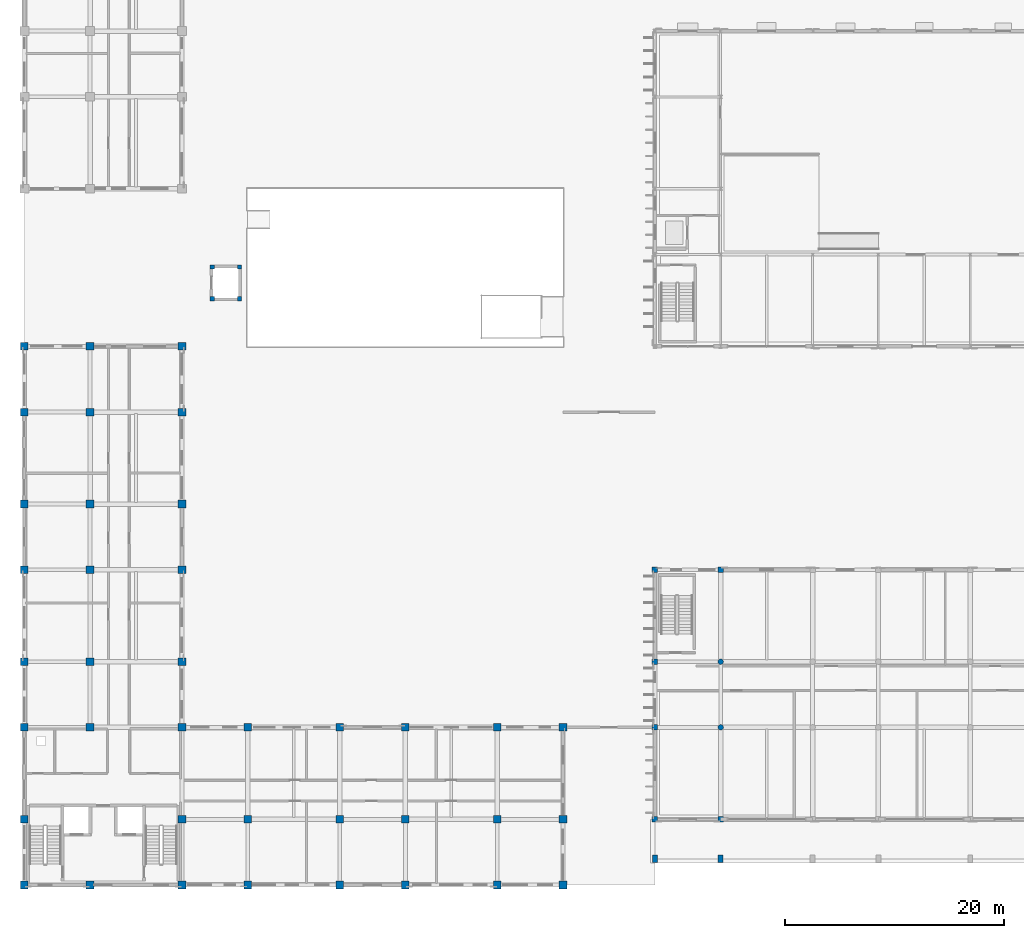
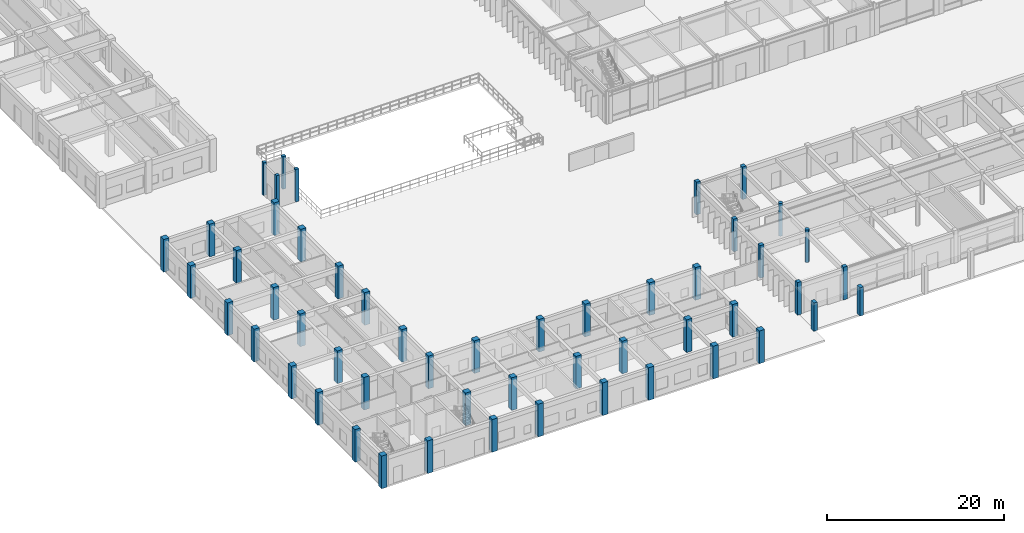
# One storey, part 1 of 67: 52 columns.
"""IFC4 building model written with IfcOpenShell, lengths in metres."""

from ifc_helpers import new_model, si_unit, direction, frame, origin, origin_2d, place, context, subcontext, project, spatial, rectangle, circle, extrude, material, material_profile, profile_set, type_object, element, save


model = new_model("IFC4")

# Units and contexts
model_context = context("Model", 3, precision=1e-05, world=origin(), true_north=direction((0.0, 1.0)))
body_context = subcontext(model_context, "Body", "Model", "MODEL_VIEW")
ifc_project = project(units=[si_unit("LENGTHUNIT", "METRE"), si_unit("AREAUNIT", "SQUARE_METRE"), si_unit("VOLUMEUNIT", "CUBIC_METRE"), si_unit("PLANEANGLEUNIT", "RADIAN"), si_unit("MASSUNIT", "GRAM", prefix="KILO"), si_unit("THERMODYNAMICTEMPERATUREUNIT", "KELVIN")], contexts=[model_context])

# Site, building, storey
site_placement = place(None, origin())
site = spatial("IfcSite", under=ifc_project, at=site_placement, CompositionType="ELEMENT")
building_placement = place(site_placement, origin())
building = spatial("IfcBuilding", under=site, at=building_placement, Name="Thalorik Housing Commons", CompositionType="ELEMENT")
storey_placement = place(building_placement, origin())
storey = spatial("IfcBuildingStorey", under=building, at=storey_placement, Name="L00", CompositionType="ELEMENT", Elevation=0.0)

# Columns
ifc_material = material(Name="Precast concrete C40/50", Category="concrete")
ifc_material_profile_1 = material_profile(ifc_material, circle(Radius=0.25, at=origin_2d()), Name="PC D500", Category="concrete")
ifc_profile_set_1 = profile_set([ifc_material_profile_1], Name="Precast concrete C40/50")
column_type_1 = type_object("IfcColumnType", Name="STR-COL-D500", PredefinedType="COLUMN", material=ifc_profile_set_1)
for number, where, z_axis, x_axis, name in (
    (1, (72.0, 22.800048828125, 0.0), (0.0, 0.0, 1.0), (1.0, 0.0, 0.0), "L00 Column C-D50"),
    (2, (72.0, 28.800048828125, 0.0), (0.0, 0.0, 1.0), (1.0, 0.0, 0.0), "L00 Column C-D50"),
):
    element("IfcColumn", number, at=place(storey_placement, frame(where, z_axis=z_axis, x_axis=x_axis)), inside=storey, type_object=column_type_1, Name=name, PredefinedType="COLUMN", context=body_context, shape_type="SweptSolid", body=[
        extrude(circle(Radius=0.25, at=origin_2d()), origin(), (0.0, 0.0, 1.0), 4.5),
    ])
ifc_material_profile_2 = material_profile(ifc_material, rectangle(XDim=0.39990234375, YDim=0.39990234375, at=origin_2d()), Name="PC 400x400", Category="concrete")
ifc_profile_set_2 = profile_set([ifc_material_profile_2], Name="Precast concrete C40/50")
column_type_2 = type_object("IfcColumnType", Name="STR-COL-PC400", PredefinedType="COLUMN", material=ifc_profile_set_2)
for number, where, z_axis, x_axis, name in (
    (3, (25.550048828125, 61.949951171875, 0.0), (0.0, 0.0, 1.0), (1.0, 0.0, 0.0), "L00 Column C-400"),
    (4, (25.550048828125, 64.85009765625, 0.0), (0.0, 0.0, 1.0), (1.0, 0.0, 0.0), "L00 Column C-400"),
    (5, (28.050048828125, 61.949951171875, 0.0), (0.0, 0.0, 1.0), (1.0, 0.0, 0.0), "L00 Column C-400"),
    (6, (28.050048828125, 64.85009765625, 0.0), (0.0, 0.0, 1.0), (1.0, 0.0, 0.0), "L00 Column C-400"),
):
    element("IfcColumn", number, at=place(storey_placement, frame(where, z_axis=z_axis, x_axis=x_axis)), inside=storey, type_object=column_type_2, Name=name, PredefinedType="COLUMN", context=body_context, shape_type="SweptSolid", body=[
        extrude(rectangle(XDim=0.39990234375, YDim=0.39990234375, at=origin_2d()), origin(), (0.0, 0.0, 1.0), 4.5),
    ])
ifc_material_profile_3 = material_profile(ifc_material, rectangle(XDim=0.5, YDim=0.5, at=origin_2d()), Name="PC 500x500", Category="concrete")
ifc_profile_set_3 = profile_set([ifc_material_profile_3], Name="Precast concrete C40/50")
column_type_3 = type_object("IfcColumnType", Name="STR-COL-PC500", PredefinedType="COLUMN", material=ifc_profile_set_3)
for number, where, z_axis, x_axis, name in (
    (7, (66.0, 14.39990234375, 0.0), (0.0, 0.0, 1.0), (1.0, 0.0, 0.0), "L00 Column C-500"),
    (8, (66.0, 22.800048828125, 0.0), (0.0, 0.0, 1.0), (1.0, 0.0, 0.0), "L00 Column C-500"),
    (9, (66.0, 28.800048828125, 0.0), (0.0, 0.0, 1.0), (1.0, 0.0, 0.0), "L00 Column C-500"),
    (10, (66.0, 37.199951171875, 0.0), (0.0, 0.0, 1.0), (1.0, 0.0, 0.0), "L00 Column C-500"),
    (11, (72.0, 14.39990234375, 0.0), (0.0, 0.0, 1.0), (1.0, 0.0, 0.0), "L00 Column C-500"),
    (12, (72.0, 37.199951171875, 0.0), (0.0, 0.0, 1.0), (1.0, 0.0, 0.0), "L00 Column C-500"),
):
    element("IfcColumn", number, at=place(storey_placement, frame(where, z_axis=z_axis, x_axis=x_axis)), inside=storey, type_object=column_type_3, Name=name, PredefinedType="COLUMN", context=body_context, shape_type="SweptSolid", body=[
        extrude(rectangle(XDim=0.5, YDim=0.5, at=origin_2d()), origin(), (0.0, 0.0, 1.0), 4.5),
    ])
ifc_material_profile_4 = material_profile(ifc_material, rectangle(XDim=0.699951171875, YDim=0.699951171875, at=origin_2d()), Name="PC 700x700", Category="concrete")
ifc_profile_set_4 = profile_set([ifc_material_profile_4], Name="Precast concrete C40/50")
column_type_4 = type_object("IfcColumnType", Name="STR-COL-PC700", PredefinedType="COLUMN", material=ifc_profile_set_4)
for number, where, z_axis, x_axis, name in (
    (13, (8.39990234375, 8.39990234375, 0.0), (0.0, 0.0, 1.0), (1.0, 0.0, 0.0), "L00 Column C-700"),
    (14, (8.39990234375, 14.39990234375, 0.0), (0.0, 0.0, 1.0), (1.0, 0.0, 0.0), "L00 Column C-700"),
    (15, (8.39990234375, 22.800048828125, 0.0), (0.0, 0.0, 1.0), (1.0, 0.0, 0.0), "L00 Column C-700"),
    (16, (8.39990234375, 28.800048828125, 0.0), (0.0, 0.0, 1.0), (1.0, 0.0, 0.0), "L00 Column C-700"),
    (17, (8.39990234375, 37.199951171875, 0.0), (0.0, 0.0, 1.0), (1.0, 0.0, 0.0), "L00 Column C-700"),
    (18, (8.39990234375, 43.199951171875, 0.0), (0.0, 0.0, 1.0), (1.0, 0.0, 0.0), "L00 Column C-700"),
    (19, (8.39990234375, 51.60009765625, 0.0), (0.0, 0.0, 1.0), (1.0, 0.0, 0.0), "L00 Column C-700"),
    (20, (8.39990234375, 57.60009765625, 0.0), (0.0, 0.0, 1.0), (1.0, 0.0, 0.0), "L00 Column C-700"),
    (21, (14.39990234375, 8.39990234375, 0.0), (0.0, 0.0, 1.0), (1.0, 0.0, 0.0), "L00 Column C-700"),
    (22, (14.39990234375, 22.800048828125, 0.0), (0.0, 0.0, 1.0), (1.0, 0.0, 0.0), "L00 Column C-700"),
    (23, (14.39990234375, 28.800048828125, 0.0), (0.0, 0.0, 1.0), (1.0, 0.0, 0.0), "L00 Column C-700"),
    (24, (14.39990234375, 37.199951171875, 0.0), (0.0, 0.0, 1.0), (1.0, 0.0, 0.0), "L00 Column C-700"),
    (25, (14.39990234375, 43.199951171875, 0.0), (0.0, 0.0, 1.0), (1.0, 0.0, 0.0), "L00 Column C-700"),
    (26, (14.39990234375, 51.60009765625, 0.0), (0.0, 0.0, 1.0), (1.0, 0.0, 0.0), "L00 Column C-700"),
    (27, (14.39990234375, 57.60009765625, 0.0), (0.0, 0.0, 1.0), (1.0, 0.0, 0.0), "L00 Column C-700"),
    (28, (22.800048828125, 8.39990234375, 0.0), (0.0, 0.0, 1.0), (1.0, 0.0, 0.0), "L00 Column C-700"),
    (29, (22.800048828125, 14.39990234375, 0.0), (0.0, 0.0, 1.0), (1.0, 0.0, 0.0), "L00 Column C-700"),
    (30, (22.800048828125, 22.800048828125, 0.0), (0.0, 0.0, 1.0), (1.0, 0.0, 0.0), "L00 Column C-700"),
    (31, (22.800048828125, 28.800048828125, 0.0), (0.0, 0.0, 1.0), (1.0, 0.0, 0.0), "L00 Column C-700"),
    (32, (22.800048828125, 37.199951171875, 0.0), (0.0, 0.0, 1.0), (1.0, 0.0, 0.0), "L00 Column C-700"),
    (33, (22.800048828125, 43.199951171875, 0.0), (0.0, 0.0, 1.0), (1.0, 0.0, 0.0), "L00 Column C-700"),
    (34, (22.800048828125, 51.60009765625, 0.0), (0.0, 0.0, 1.0), (1.0, 0.0, 0.0), "L00 Column C-700"),
    (35, (22.800048828125, 57.60009765625, 0.0), (0.0, 0.0, 1.0), (1.0, 0.0, 0.0), "L00 Column C-700"),
    (36, (28.800048828125, 8.39990234375, 0.0), (0.0, 0.0, 1.0), (1.0, 0.0, 0.0), "L00 Column C-700"),
    (37, (28.800048828125, 14.39990234375, 0.0), (0.0, 0.0, 1.0), (1.0, 0.0, 0.0), "L00 Column C-700"),
    (38, (28.800048828125, 22.800048828125, 0.0), (0.0, 0.0, 1.0), (1.0, 0.0, 0.0), "L00 Column C-700"),
    (39, (37.199951171875, 8.39990234375, 0.0), (0.0, 0.0, 1.0), (1.0, 0.0, 0.0), "L00 Column C-700"),
    (40, (37.199951171875, 14.39990234375, 0.0), (0.0, 0.0, 1.0), (1.0, 0.0, 0.0), "L00 Column C-700"),
    (41, (37.199951171875, 22.800048828125, 0.0), (0.0, 0.0, 1.0), (1.0, 0.0, 0.0), "L00 Column C-700"),
    (42, (43.199951171875, 8.39990234375, 0.0), (0.0, 0.0, 1.0), (1.0, 0.0, 0.0), "L00 Column C-700"),
    (43, (43.199951171875, 14.39990234375, 0.0), (0.0, 0.0, 1.0), (1.0, 0.0, 0.0), "L00 Column C-700"),
    (44, (43.199951171875, 22.800048828125, 0.0), (0.0, 0.0, 1.0), (1.0, 0.0, 0.0), "L00 Column C-700"),
    (45, (51.60009765625, 8.39990234375, 0.0), (0.0, 0.0, 1.0), (1.0, 0.0, 0.0), "L00 Column C-700"),
    (46, (51.60009765625, 14.39990234375, 0.0), (0.0, 0.0, 1.0), (1.0, 0.0, 0.0), "L00 Column C-700"),
    (47, (51.60009765625, 22.800048828125, 0.0), (0.0, 0.0, 1.0), (1.0, 0.0, 0.0), "L00 Column C-700"),
    (48, (57.60009765625, 8.39990234375, 0.0), (0.0, 0.0, 1.0), (1.0, 0.0, 0.0), "L00 Column C-700"),
    (49, (57.60009765625, 14.39990234375, 0.0), (0.0, 0.0, 1.0), (1.0, 0.0, 0.0), "L00 Column C-700"),
    (50, (57.60009765625, 22.800048828125, 0.0), (0.0, 0.0, 1.0), (1.0, 0.0, 0.0), "L00 Column C-700"),
):
    element("IfcColumn", number, at=place(storey_placement, frame(where, z_axis=z_axis, x_axis=x_axis)), inside=storey, type_object=column_type_4, Name=name, PredefinedType="COLUMN", context=body_context, shape_type="SweptSolid", body=[
        extrude(rectangle(XDim=0.699951171875, YDim=0.699951171875, at=origin_2d()), origin(), (0.0, 0.0, 1.0), 4.5),
    ])
ifc_material_profile_5 = material_profile(ifc_material, rectangle(XDim=0.449951171875, YDim=0.64990234375, at=origin_2d()), Name="PC 450x650", Category="concrete")
ifc_profile_set_5 = profile_set([ifc_material_profile_5], Name="Precast concrete C40/50")
column_type_5 = type_object("IfcColumnType", Name="STR-PIL-450x650", PredefinedType="PILASTER", material=ifc_profile_set_5)
for number, where, z_axis, x_axis, name in (
    (51, (66.0, 10.800048828125, 0.0), (0.0, 0.0, 1.0), (1.0, 0.0, 0.0), "L00 Column PL-65"),
    (52, (72.0, 10.800048828125, 0.0), (0.0, 0.0, 1.0), (1.0, 0.0, 0.0), "L00 Column PL-65"),
):
    element("IfcColumn", number, at=place(storey_placement, frame(where, z_axis=z_axis, x_axis=x_axis)), inside=storey, type_object=column_type_5, Name=name, PredefinedType="PILASTER", context=body_context, shape_type="SweptSolid", body=[
        extrude(rectangle(XDim=0.449951171875, YDim=0.64990234375, at=origin_2d()), origin(), (0.0, 0.0, 1.0), 3.89990234375),
    ])

save(model, "model.ifc")
